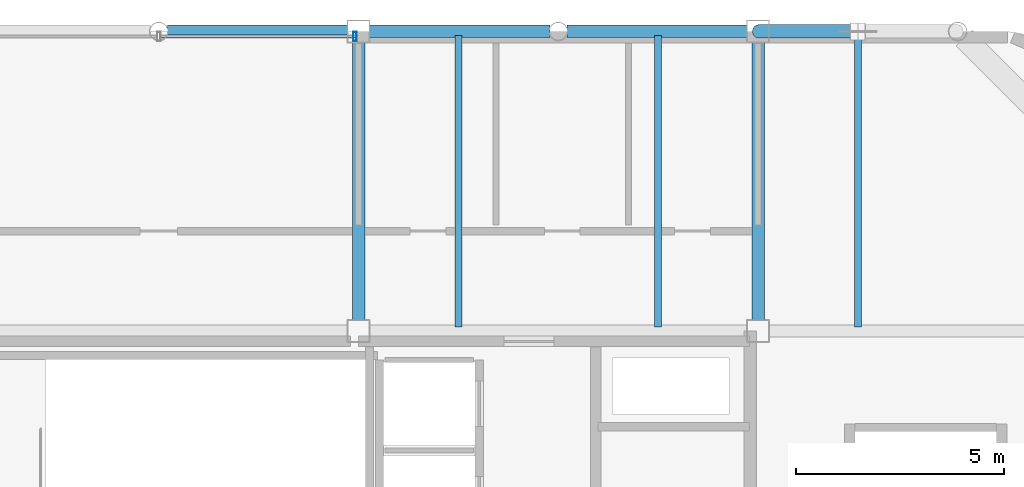
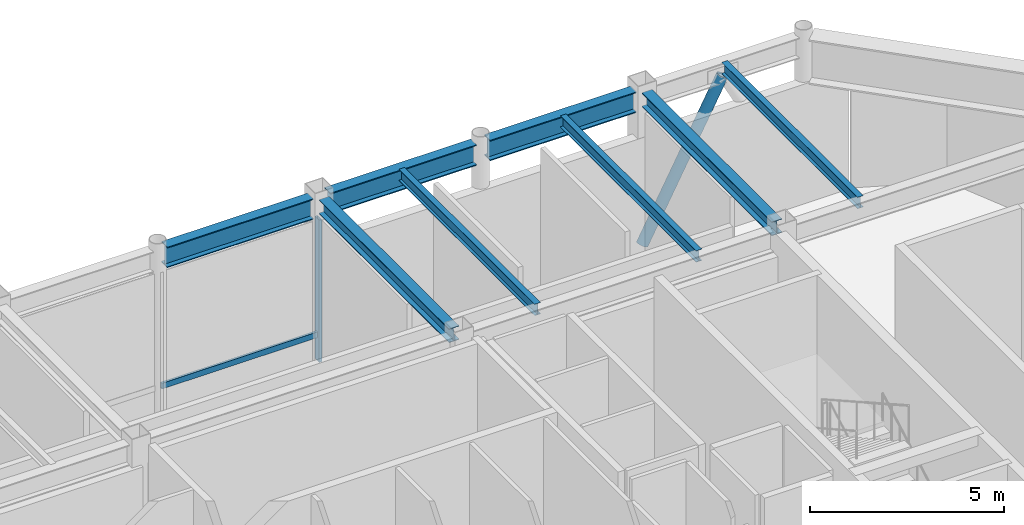
# One storey, part 14 of 21: 8 beams, 3 members, 1 element without a shape of its own.
"""IFC4 building model written with IfcOpenShell, lengths in metres."""

from ifc_helpers import new_model, si_unit, direction, frame, origin, origin_2d, place, context, subcontext, project, spatial, hollow_rectangle, hollow_circle, i_section, extrude, material, layer, layer_set, material_profile, profile_set, type_object, element, aggregate, save


model = new_model("IFC4")

# Units and contexts
model_context = context("Model", 3, precision=1e-05, world=origin(), true_north=direction((0.0, 1.0)))
body_context = subcontext(model_context, "Body", "Model", "MODEL_VIEW")
ifc_project = project(units=[si_unit("LENGTHUNIT", "METRE"), si_unit("AREAUNIT", "SQUARE_METRE"), si_unit("VOLUMEUNIT", "CUBIC_METRE"), si_unit("PLANEANGLEUNIT", "RADIAN"), si_unit("MASSUNIT", "GRAM", prefix="KILO")], contexts=[model_context])

# Site, building, storey
site_placement = place(None, origin())
site = spatial("IfcSite", under=ifc_project, at=site_placement, CompositionType="ELEMENT")
building_placement = place(site_placement, origin())
building = spatial("IfcBuilding", under=site, at=building_placement, Name="Kallvorn Hotel Tower", CompositionType="ELEMENT")
storey_placement = place(building_placement, frame((0.0, 0.0, 300.60009765625)))
storey = spatial("IfcBuildingStorey", under=building, at=storey_placement, Name="L74", CompositionType="ELEMENT", Elevation=300.60009765625)

# Beams
ifc_material_1 = material(Name="Structural steel S355JR", Category="steel")
ifc_material_profile_1 = material_profile(ifc_material_1, i_section(OverallWidth=0.300048828125, OverallDepth=0.43994140625, WebThickness=0.011474609375, FlangeThickness=0.02099609375, at=origin_2d()), Name="HE 450 A")
ifc_profile_set_1 = profile_set([ifc_material_profile_1], Name="Structural steel S355JR")
beam_type_1 = type_object("IfcBeamType", Name="BM_HE450A", PredefinedType="BEAM", material=ifc_profile_set_1)
for number, where, z_axis, x_axis, name in (
    (1, (4.800048828125, 7.449951171875, 4.93994140625), (0.0, 1.0, 0.0), (-1.0, 0.0, 0.0), "ROOF Primary Y-Girder 42"),
    (2, (14.39990234375, 7.449951171875, 4.93994140625), (0.0, 1.0, 0.0), (-1.0, 0.0, 0.0), "ROOF Primary Y-Girder 45"),
):
    element("IfcBeam", number, at=place(storey_placement, frame(where, z_axis=z_axis, x_axis=x_axis)), inside=storey, type_object=beam_type_1, Name=name, PredefinedType="BEAM", context=body_context, shape_type="SweptSolid", body=[
        extrude(i_section(OverallWidth=0.300048828125, OverallDepth=0.43994140625, WebThickness=0.011474609375, FlangeThickness=0.02099609375, at=origin_2d()), origin(), (0.0, 0.0, 1.0), 6.699951171875),
    ])
ifc_material_2 = material(Name="Structural steel S355JR", Category="steel")
ifc_material_profile_2 = material_profile(ifc_material_2, i_section(OverallWidth=0.300048828125, OverallDepth=0.64990234375, WebThickness=0.01611328125, FlangeThickness=0.031005859375, at=origin_2d()), Name="HE 650 B")
ifc_profile_set_2 = profile_set([ifc_material_profile_2], Name="Structural steel S355JR")
beam_type_2 = type_object("IfcBeamType", Name="BM_HE650B", PredefinedType="BEAM", material=ifc_profile_set_2)
for number, where, z_axis, x_axis, name in (
    (3, (0.20361328125, 14.39990234375, 4.8349609375), (1.0, 0.0, 0.0), (0.0, 1.0, 0.0), "ROOF Primary X-Girder 21"),
    (4, (5.050048828125, 14.39990234375, 4.8349609375), (1.0, 0.0, 0.0), (0.0, 1.0, 0.0), "ROOF Primary X-Girder 22"),
    (5, (9.803466796875, 14.39990234375, 4.8349609375), (1.0, 0.0, 0.0), (0.0, 1.0, 0.0), "ROOF Primary X-Girder 23"),
):
    element("IfcBeam", number, at=place(storey_placement, frame(where, z_axis=z_axis, x_axis=x_axis)), inside=storey, type_object=beam_type_2, Name=name, PredefinedType="BEAM", context=body_context, shape_type="SweptSolid", body=[
        extrude(i_section(OverallWidth=0.300048828125, OverallDepth=0.64990234375, WebThickness=0.01611328125, FlangeThickness=0.031005859375, at=origin_2d()), origin(), (0.0, 0.0, 1.0), 4.346435546875),
    ])
ifc_material_3 = material(Name="Structural steel S355JR", Category="steel")
ifc_material_profile_3 = material_profile(ifc_material_3, i_section(OverallWidth=0.169921875, OverallDepth=0.360107421875, WebThickness=0.008056640625, FlangeThickness=0.0126953125, at=origin_2d()), Name="IPE 360")
ifc_profile_set_3 = profile_set([ifc_material_profile_3], Name="Structural steel S355JR")
beam_type_3 = type_object("IfcBeamType", Name="BM_IPE360", PredefinedType="JOIST", material=ifc_profile_set_3)
for number, where, z_axis, x_axis, name in (
    (6, (7.199951171875, 7.300048828125, 4.97998046875), (0.0, 1.0, 0.0), (-1.0, 0.0, 0.0), "ROOF Secondary Composite Joist 100"),
    (7, (12.0, 7.300048828125, 4.97998046875), (0.0, 1.0, 0.0), (-1.0, 0.0, 0.0), "ROOF Secondary Composite Joist 102"),
    (8, (16.800048828125, 7.300048828125, 4.97998046875), (0.0, 1.0, 0.0), (-1.0, 0.0, 0.0), "ROOF Secondary Composite Joist 104"),
):
    element("IfcBeam", number, at=place(storey_placement, frame(where, z_axis=z_axis, x_axis=x_axis)), inside=storey, type_object=beam_type_3, Name=name, PredefinedType="JOIST", context=body_context, shape_type="SweptSolid", body=[
        extrude(i_section(OverallWidth=0.169921875, OverallDepth=0.360107421875, WebThickness=0.008056640625, FlangeThickness=0.0126953125, at=origin_2d()), origin(), (0.0, 0.0, 1.0), 7.0),
    ])

# Curtain wall, members
ifc_material_4 = material(Name="Thermally broken black-anodised aluminium AA 6063-T6", Category="aluminium")
ifc_layer = layer(ifc_material_4, 0.25)
ifc_layer_set = layer_set([ifc_layer], Name="CW_SYS_6_SUMMIT_OBS")
curtain_wall_type = type_object("IfcCurtainWallType", Name="CW_SYS_6_SUMMIT_OBS", PredefinedType="USERDEFINED", material=ifc_layer_set)
curtain_wall_placement = place(storey_placement, origin())
curtain_wall = element("IfcCurtainWall", 9, at=curtain_wall_placement, inside=storey, type_object=curtain_wall_type, Name="L74 Dark-Glass Curtain Wall CW-L74-NC", ObjectType="UNITISED CURTAIN WALL", PredefinedType="USERDEFINED")
ifc_material_5 = material(Name="Thermally broken black-anodised aluminium AA 6063-T6", Category="aluminium")
ifc_material_profile_4 = material_profile(ifc_material_5, hollow_rectangle(XDim=0.080078125, YDim=0.219970703125, WallThickness=0.0048828125, at=origin_2d()), Name="MUL 220x80")
ifc_profile_set_4 = profile_set([ifc_material_profile_4], Name="Thermally broken black-anodised aluminium AA 6063-T6")
member_type_1 = type_object("IfcMemberType", Name="CW_MULLION_220x80", PredefinedType="MULLION", material=ifc_profile_set_4)
member_1_placement = place(storey_placement, frame((4.7099609375, 14.280029296875, 0.02001953125), z_axis=(0.0, 0.0, 1.0), x_axis=(1.0, 0.0, 0.0)))
member_1 = element("IfcMember", 10, at=member_1_placement, type_object=member_type_1, Name="CW-L74-NC Mullion 02", PredefinedType="MULLION", context=body_context, shape_type="SweptSolid", body=[
    extrude(hollow_rectangle(XDim=0.080078125, YDim=0.219970703125, WallThickness=0.0048828125, at=origin_2d()), origin(), (0.0, 0.0, 1.0), 4.469970703125),
])
ifc_material_6 = material(Name="Thermally broken black-anodised aluminium AA 6063-T6", Category="aluminium")
ifc_material_profile_5 = material_profile(ifc_material_6, hollow_rectangle(XDim=0.070068359375, YDim=0.179931640625, WallThickness=0.00390625, at=origin_2d()), Name="TRN 180x70")
ifc_profile_set_5 = profile_set([ifc_material_profile_5], Name="Thermally broken black-anodised aluminium AA 6063-T6")
member_type_2 = type_object("IfcMemberType", Name="CW_TRANSOM_180x70", PredefinedType="USERDEFINED", material=ifc_profile_set_5)
member_2_placement = place(storey_placement, frame((0.0400390625, 14.280029296875, 0.849853515625), z_axis=(1.0, 0.0, 0.0), x_axis=(0.0, 1.0, 0.0)))
member_2 = element("IfcMember", 11, at=member_2_placement, type_object=member_type_2, Name="CW-L74-NC Transom 01M", ObjectType="TRANSOM", PredefinedType="USERDEFINED", context=body_context, shape_type="SweptSolid", body=[
    extrude(hollow_rectangle(XDim=0.070068359375, YDim=0.179931640625, WallThickness=0.00390625, at=origin_2d()), origin(), (0.0, 0.0, 1.0), 4.669921875),
])
aggregate(curtain_wall, [member_1, member_2])

# Member
ifc_material_7 = material(Name="Structural steel S355J2H", Category="steel")
ifc_material_profile_6 = material_profile(ifc_material_7, hollow_circle(Radius=0.161865234375, WallThickness=0.012451171875, at=origin_2d()), Name="CHS 323.9x12.5")
ifc_profile_set_6 = profile_set([ifc_material_profile_6], Name="Structural steel S355J2H")
member_type_3 = type_object("IfcMemberType", Name="MBR_EXO_CHS323", PredefinedType="BRACE", material=ifc_profile_set_6)
member_3_placement = place(storey_placement, frame((14.409423828125, 14.39990234375, 0.197509765625), z_axis=(0.468947795809, 0.0, 0.883225885493), x_axis=(0.0, 1.0, 0.0)))
element("IfcMember", 12, at=member_3_placement, inside=storey, type_object=member_type_3, Name="L74 Exoskeleton K-Brace N2A", PredefinedType="BRACE", context=body_context, shape_type="SweptSolid", body=[
    extrude(hollow_circle(Radius=0.161865234375, WallThickness=0.012451171875, at=origin_2d()), origin(), (0.0, 0.0, 1.0), 5.07763671875),
])

save(model, "model.ifc")
